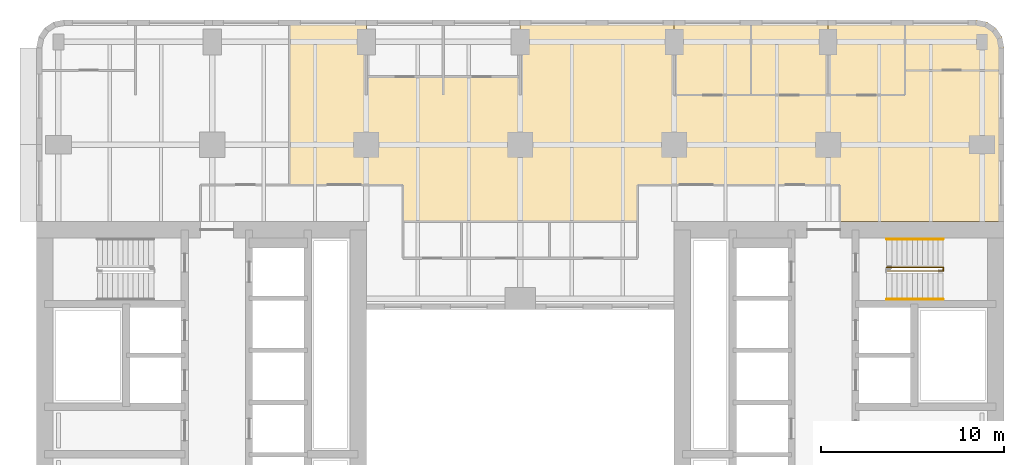
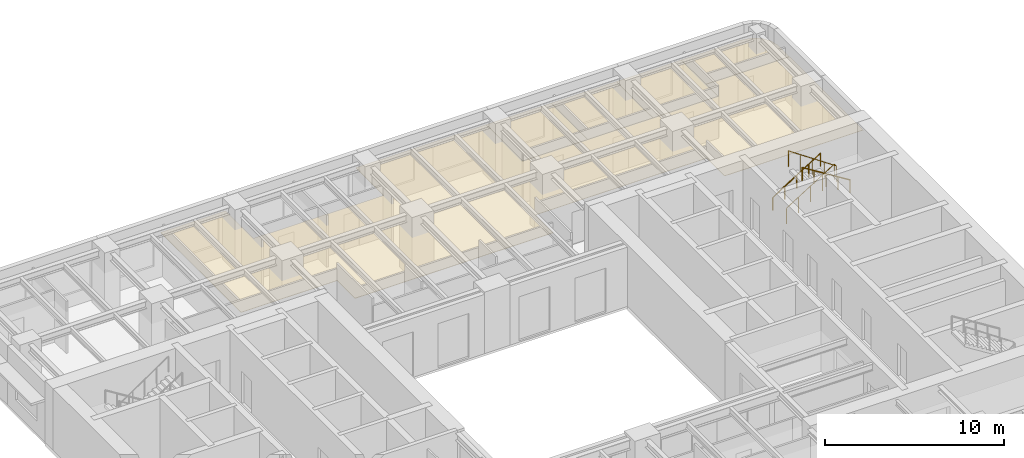
# One storey, part 11 of 11: 5 coverings, 3 railings.
"""IFC4 building model written with IfcOpenShell, lengths in metres."""

import ifcopenshell
import ifcopenshell.guid

model = None  # the IFC model being written
_history = None  # IfcOwnerHistory: only IFC2X3 demands one
_inside = {}  # id of a spatial element -> (the spatial element, [elements in it])
_under = {}  # id of a project, library or spatial element -> (it, [spatial elements below it])
_declared = {}  # id of a project -> (the project, [libraries it declares])
_typed = {}  # id of a type object -> (the type object, [elements of that type])
_made_of = {}  # id of a material, layer set ... -> (it, [elements and type objects made of it])


def new_model(schema):
    """Start an empty IFC model of exactly this schema.

    Asked for "IFC4X3", IfcOpenShell would pick the latest addendum, in which some entities
    have other attributes; the version numbers below select the first issue.
    IFC2X3 requires an IfcOwnerHistory on every rooted entity: one is made here for all.
    """
    global model, _history
    if schema == "IFC4X3":
        model = ifcopenshell.file(schema_version=(4, 3, 0, 0))
    else:
        model = ifcopenshell.file(schema=schema)
    _inside.clear()
    _under.clear()
    _declared.clear()
    _typed.clear()
    _made_of.clear()
    _history = None
    if model.schema == "IFC2X3":
        org = make("IfcOrganization", Name="unknown")
        user = make(
            "IfcPersonAndOrganization",
            ThePerson=make("IfcPerson", FamilyName="unknown"),
            TheOrganization=org,
        )
        app = make(
            "IfcApplication",
            ApplicationDeveloper=org,
            Version="unknown",
            ApplicationFullName="unknown",
            ApplicationIdentifier="unknown",
        )
        _history = make(
            "IfcOwnerHistory",
            OwningUser=user,
            OwningApplication=app,
            ChangeAction="ADDED",
            CreationDate=0,
        )
    return model


def make(cls, **values):
    """One entity of the class cls with the attributes given. An attribute that is None is left unset."""
    return model.create_entity(
        cls, **{name: value for name, value in values.items() if value is not None}
    )


def rooted(cls, **values):
    """An entity with a GlobalId (a new one), such as an element, a storey or a relation."""
    return make(cls, GlobalId=ifcopenshell.guid.new(), OwnerHistory=_history, **values)


def si_unit(unit_type, name, prefix=None):
    """IfcSIUnit, for example si_unit("LENGTHUNIT", "METRE", prefix="MILLI")."""
    return make("IfcSIUnit", UnitType=unit_type, Prefix=prefix, Name=name)


def assignment(units):
    """IfcUnitAssignment: the units of a project."""
    return None if units is None else make("IfcUnitAssignment", Units=units)


def point(xyz):
    """IfcCartesianPoint."""
    return None if xyz is None else make("IfcCartesianPoint", Coordinates=xyz)


def direction(xyz):
    """IfcDirection."""
    return None if xyz is None else make("IfcDirection", DirectionRatios=xyz)


def frame(location, z_axis=None, x_axis=None):
    """IfcAxis2Placement3D, a coordinate frame: its origin and axes. An axis left out is left unset."""
    return make(
        "IfcAxis2Placement3D",
        Location=point(location),
        Axis=direction(z_axis),
        RefDirection=direction(x_axis),
    )


def frame_2d(location, x_axis=None):
    """IfcAxis2Placement2D, a coordinate frame in the plane: its origin and x axis."""
    return make(
        "IfcAxis2Placement2D", Location=point(location), RefDirection=direction(x_axis)
    )


def origin():
    """The frame at (0, 0, 0) with its axes left unset."""
    return frame((0.0, 0.0, 0.0))


def origin_2d():
    """The frame at (0, 0) in the plane with its x axis left unset."""
    return frame_2d((0.0, 0.0))


def place(relative_to, where):
    """IfcLocalPlacement: puts the frame where relative to a parent placement (None: the world)."""
    return make(
        "IfcLocalPlacement", PlacementRelTo=relative_to, RelativePlacement=where
    )


def context(
    kind, dimensions, precision=None, world=None, true_north=None, identifier=None
):
    """IfcGeometricRepresentationContext, for example the 3D "Model" context."""
    return make(
        "IfcGeometricRepresentationContext",
        ContextIdentifier=identifier,
        ContextType=kind,
        CoordinateSpaceDimension=dimensions,
        Precision=precision,
        WorldCoordinateSystem=world,
        TrueNorth=true_north,
    )


def subcontext(parent, identifier, kind, view, scale=None):
    """IfcGeometricRepresentationSubContext, for example "Body" below "Model"."""
    return make(
        "IfcGeometricRepresentationSubContext",
        ContextIdentifier=identifier,
        ContextType=kind,
        ParentContext=parent,
        TargetScale=scale,
        TargetView=view,
    )


def project(units=None, contexts=None):
    """IfcProject with its units and contexts."""
    return rooted(
        "IfcProject",
        Name="project",
        RepresentationContexts=contexts,
        UnitsInContext=assignment(units),
    )


def spatial(cls, under=None, at=None, **own):
    """A site, building, storey or space (cls), placed at a placement, below another one or the project."""
    s = rooted(cls, ObjectPlacement=at, **own)
    if under is not None:
        _under.setdefault(under.id(), (under, []))[1].append(s)
    return s


def polyline(points):
    """IfcPolyline through the points."""
    return make("IfcPolyline", Points=[point(p) for p in points])


def profile(cls, at=None, kind="AREA", **sizes):
    """A parametric profile (cls). Its sizes go by their IFC names, for example OverallWidth=200.0."""
    return make(cls, ProfileType=kind, Position=at, **sizes)


def circle(**sizes):
    """IfcCircleProfileDef."""
    return profile("IfcCircleProfileDef", **sizes)


def outline(outer, holes=None, kind="AREA"):
    """IfcArbitraryClosedProfileDef: a profile drawn as a closed curve; with holes, ...WithVoids."""
    if holes is None:
        return make("IfcArbitraryClosedProfileDef", ProfileType=kind, OuterCurve=outer)
    return make(
        "IfcArbitraryProfileDefWithVoids",
        ProfileType=kind,
        OuterCurve=outer,
        InnerCurves=holes,
    )


def extrude(swept, where, along, depth):
    """IfcExtrudedAreaSolid: the profile swept, set in the frame where, extruded along a direction by depth."""
    return make(
        "IfcExtrudedAreaSolid",
        SweptArea=swept,
        Position=where,
        ExtrudedDirection=direction(along),
        Depth=depth,
    )


def shape(context_of_items, identifier, shape_type, items):
    """IfcShapeRepresentation: the items that make up one representation, for example the "Body"."""
    return make(
        "IfcShapeRepresentation",
        ContextOfItems=context_of_items,
        RepresentationIdentifier=identifier,
        RepresentationType=shape_type,
        Items=items,
    )


def material(Name=None, Category=None):
    """IfcMaterial."""
    return make("IfcMaterial", Name=Name, Category=Category)


def layer(
    of_material, thickness, ventilated=None, Name=None, Category=None, Priority=None
):
    """IfcMaterialLayer: one layer of a wall or slab, of a material (None: an air gap)."""
    return make(
        "IfcMaterialLayer",
        Material=of_material,
        LayerThickness=thickness,
        IsVentilated=ventilated,
        Name=Name,
        Category=Category,
        Priority=Priority,
    )


def layer_set(layers, Name=None):
    """IfcMaterialLayerSet."""
    return make("IfcMaterialLayerSet", MaterialLayers=layers, LayerSetName=Name)


def made_of(thing, what):
    """Note that an element or type object is made of a material, layer set ...; save() writes the relation."""
    if what is not None:
        _made_of.setdefault(what.id(), (what, []))[1].append(thing)
    return thing


def type_object(cls, material=None, **own):
    """A type object (cls), such as IfcWallType, which elements share."""
    return made_of(rooted(cls, **own), material)


def element(
    cls,
    number,
    at=None,
    inside=None,
    cuts=None,
    type_object=None,
    material=None,
    context=None,
    identifier="Body",
    shape_type=None,
    held_by="IfcProductDefinitionShape",
    body=None,
    shapes=None,
    **own,
):
    """One element of the class cls, such as IfcWall. Its Tag is "e" and its number.

    at: its placement. inside: the storey or other place that contains it. cuts: it is an
    opening in that element (IfcRelVoidsElement). A single representation is given by context,
    identifier, shape_type and body (its items); several are given by shapes. held_by: the class
    of the entity that holds the representations. save() writes the other relations.
    """
    e = rooted(cls, Tag="e%d" % number, ObjectPlacement=at, **own)
    if body is not None:
        shapes = [shape(context, identifier, shape_type, body)]
    if shapes is not None:
        e.Representation = make(held_by, Representations=shapes)
    if inside is not None:
        _inside.setdefault(inside.id(), (inside, []))[1].append(e)
    if cuts is not None:
        rooted(
            "IfcRelVoidsElement", RelatingBuildingElement=cuts, RelatedOpeningElement=e
        )
    if type_object is not None:
        _typed.setdefault(type_object.id(), (type_object, []))[1].append(e)
    return made_of(e, material)


def aggregate(whole, parts):
    """IfcRelAggregates: a whole, such as a stair, and the parts it consists of."""
    return rooted("IfcRelAggregates", RelatingObject=whole, RelatedObjects=parts)


def save(model, path):
    """Write the relations noted so far, then the file.

    IfcRelAggregates (storeys below a building ...), IfcRelContainedInSpatialStructure (elements
    in a storey), IfcRelDefinesByType, IfcRelAssociatesMaterial and IfcRelDeclares: one each for
    every whole, place, type object, material and project.
    """
    for whole, parts in _under.values():
        aggregate(whole, parts)
    for where, things in _inside.values():
        rooted(
            "IfcRelContainedInSpatialStructure",
            RelatedElements=things,
            RelatingStructure=where,
        )
    for kind, things in _typed.values():
        rooted("IfcRelDefinesByType", RelatedObjects=things, RelatingType=kind)
    for what, things in _made_of.values():
        rooted("IfcRelAssociatesMaterial", RelatedObjects=things, RelatingMaterial=what)
    for by, libraries in _declared.values():
        rooted("IfcRelDeclares", RelatingContext=by, RelatedDefinitions=libraries)
    model.write(path)


model = new_model("IFC4")

# Units and contexts
model_context = context("Model", 3, precision=1e-05, world=origin(), true_north=direction((0.0, 1.0)))
body_context = subcontext(model_context, "Body", "Model", "MODEL_VIEW")
ifc_project = project(units=[si_unit("LENGTHUNIT", "METRE"), si_unit("AREAUNIT", "SQUARE_METRE"), si_unit("VOLUMEUNIT", "CUBIC_METRE"), si_unit("PLANEANGLEUNIT", "RADIAN"), si_unit("MASSUNIT", "GRAM", prefix="KILO")], contexts=[model_context])

# Site, building, storey
site_placement = place(None, origin())
site = spatial("IfcSite", under=ifc_project, at=site_placement, CompositionType="ELEMENT")
building_placement = place(site_placement, origin())
building = spatial("IfcBuilding", under=site, at=building_placement, Name="Claustro Exchange Tower", CompositionType="ELEMENT")
storey_placement = place(building_placement, frame((0.0, 0.0, 159.60009765625)))
storey = spatial("IfcBuildingStorey", under=building, at=storey_placement, Name="L36", CompositionType="ELEMENT", Elevation=159.60009765625)

# Coverings
ifc_material_1 = material(Name="Gypsum board ceiling", Category="gypsum board")
ifc_layer = layer(ifc_material_1, 0.02490234375)
ifc_layer_set = layer_set([ifc_layer], Name="Gypsum board ceiling")
covering_type = type_object("IfcCoveringType", Name="CL2 plasterboard ceiling", PredefinedType="CEILING", material=ifc_layer_set)
covering_1_placement = place(storey_placement, frame((0.0, 0.0, 2.7998046875)))
element("IfcCovering", 1, at=covering_1_placement, inside=storey, type_object=covering_type, Name="Ceiling CL2 L36-20", PredefinedType="CEILING", context=body_context, shape_type="SweptSolid", body=[
    extrude(outline(polyline([(16.800048828125, 48.800048828125), (12.60009765625, 48.800048828125), (12.60009765625, 39.800048828125), (18.800048828125, 39.800048828125), (18.800048828125, 37.800048828125), (31.60009765625, 37.800048828125), (31.60009765625, 39.800048828125), (42.64990234375, 39.800048828125), (42.64990234375, 37.800048828125), (51.60009765625, 37.800048828125), (51.60009765625, 46.050048828125), (46.199951171875, 46.050048828125), (46.199951171875, 44.699951171875), (42.0, 44.699951171875), (37.800048828125, 44.699951171875), (33.60009765625, 44.699951171875), (33.60009765625, 48.800048828125), (25.199951171875, 48.800048828125), (25.199951171875, 45.699951171875), (21.0, 45.699951171875), (16.800048828125, 45.699951171875), (16.800048828125, 48.800048828125)])), origin(), (0.0, 0.0, 1.0), 0.025146484375),
])
covering_2_placement = place(storey_placement, frame((0.0, 0.0, 2.7998046875)))
element("IfcCovering", 2, at=covering_2_placement, inside=storey, type_object=covering_type, Name="Ceiling CL2 L36-22", PredefinedType="CEILING", context=body_context, shape_type="SweptSolid", body=[
    extrude(outline(polyline([(37.800048828125, 48.800048828125), (33.60009765625, 48.800048828125), (33.60009765625, 44.699951171875), (37.800048828125, 44.699951171875), (37.800048828125, 48.800048828125)])), origin(), (0.0, 0.0, 1.0), 0.025146484375),
])
covering_3_placement = place(storey_placement, frame((0.0, 0.0, 2.7998046875)))
element("IfcCovering", 3, at=covering_3_placement, inside=storey, type_object=covering_type, Name="Ceiling CL2 L36-23", PredefinedType="CEILING", context=body_context, shape_type="SweptSolid", body=[
    extrude(outline(polyline([(42.0, 48.800048828125), (37.800048828125, 48.800048828125), (37.800048828125, 44.699951171875), (42.0, 44.699951171875), (42.0, 48.800048828125)])), origin(), (0.0, 0.0, 1.0), 0.025146484375),
])
covering_4_placement = place(storey_placement, frame((0.0, 0.0, 2.7998046875)))
element("IfcCovering", 4, at=covering_4_placement, inside=storey, type_object=covering_type, Name="Ceiling CL2 L36-24", PredefinedType="CEILING", context=body_context, shape_type="SweptSolid", body=[
    extrude(outline(polyline([(46.199951171875, 48.800048828125), (42.0, 48.800048828125), (42.0, 44.699951171875), (46.199951171875, 44.699951171875), (46.199951171875, 48.800048828125)])), origin(), (0.0, 0.0, 1.0), 0.025146484375),
])
covering_5_placement = place(storey_placement, frame((0.0, 0.0, 2.7998046875)))
element("IfcCovering", 5, at=covering_5_placement, inside=storey, type_object=covering_type, Name="Ceiling CL2 L36-28", PredefinedType="CEILING", context=body_context, shape_type="SweptSolid", body=[
    extrude(outline(polyline([(50.10009765625, 48.800048828125), (46.199951171875, 48.800048828125), (46.199951171875, 46.050048828125), (51.60009765625, 46.050048828125), (51.60009765625, 47.300048828125), (51.48583984375, 47.8740234375), (51.16064453125, 48.360595703125), (50.674072265625, 48.685791015625), (50.10009765625, 48.800048828125)])), origin(), (0.0, 0.0, 1.0), 0.025146484375),
])

# Railings
ifc_material_2 = material(Name="Steel balustrade, painted", Category="steel")
railing_type_1 = type_object("IfcRailingType", Name="GR2 1100 steel stair guard", PredefinedType="GUARDRAIL", material=ifc_material_2)
railing_1_placement = place(storey_placement, frame((45.199951171875, 35.300048828125, 0.1748046875)))
element("IfcRailing", 6, at=railing_1_placement, inside=storey, type_object=railing_type_1, Name="Stair well guard GR2 stair STEB L36", PredefinedType="GUARDRAIL", context=body_context, shape_type="SweptSolid", body=[
    extrude(circle(Radius=0.02392578125, at=origin_2d()), frame((0.0, 0.0, 1.076171875), z_axis=(0.847998304005, 0.0, 0.529998940003), x_axis=(0.0, 1.0, 0.0)), (0.0, 0.0, 1.0), 3.632080078125),
    extrude(circle(Radius=0.02392578125, at=origin_2d()), frame((3.080078125, 0.0, 3.0009765625), z_axis=(0.0, -1.0, 0.0), x_axis=(1.0, 0.0, 0.0)), (0.0, 0.0, 1.0), 0.199951171875),
    extrude(circle(Radius=0.02392578125, at=origin_2d()), frame((3.080078125, -0.199951171875, 3.0009765625), z_axis=(-0.826221800596, 0.0, 0.563344953133), x_axis=(0.0, -1.0, 0.0)), (0.0, 0.0, 1.0), 3.72802734375),
    extrude(circle(Radius=0.02099609375, at=origin_2d()), origin(), (0.0, 0.0, 1.0), 1.052001953125),
    extrude(circle(Radius=0.02099609375, at=origin_2d()), frame((0.77001953125, 0.0, 0.481201171875)), (0.0, 0.0, 1.0), 1.052001953125),
    extrude(circle(Radius=0.02099609375, at=origin_2d()), frame((1.5400390625, 0.0, 0.96240234375)), (0.0, 0.0, 1.0), 1.052001953125),
    extrude(circle(Radius=0.02099609375, at=origin_2d()), frame((2.31005859375, 0.0, 1.44384765625)), (0.0, 0.0, 1.0), 1.052001953125),
    extrude(circle(Radius=0.02099609375, at=origin_2d()), frame((3.080078125, 0.0, 1.925048828125)), (0.0, 0.0, 1.0), 1.052001953125),
    extrude(circle(Radius=0.02099609375, at=origin_2d()), frame((3.080078125, -0.199951171875, 1.925048828125)), (0.0, 0.0, 1.0), 1.052001953125),
    extrude(circle(Radius=0.02099609375, at=origin_2d()), frame((2.31005859375, -0.199951171875, 2.4501953125)), (0.0, 0.0, 1.0), 1.052001953125),
    extrude(circle(Radius=0.02099609375, at=origin_2d()), frame((1.5400390625, -0.199951171875, 2.97509765625)), (0.0, 0.0, 1.0), 1.052001953125),
    extrude(circle(Radius=0.02099609375, at=origin_2d()), frame((0.77001953125, -0.199951171875, 3.5)), (0.0, 0.0, 1.0), 1.052001953125),
    extrude(circle(Radius=0.02099609375, at=origin_2d()), frame((0.0, -0.199951171875, 4.025146484375)), (0.0, 0.0, 1.0), 1.052001953125),
])
ifc_material_3 = material(Name="Stainless steel tube", Category="steel")
railing_type_2 = type_object("IfcRailingType", Name="HR1 900 stair handrail", PredefinedType="HANDRAIL", material=ifc_material_3)
railing_2_placement = place(storey_placement, frame((45.199951171875, 36.840087890625, 0.1748046875)))
element("IfcRailing", 7, at=railing_2_placement, inside=storey, type_object=railing_type_2, Name="Handrail HR1 stair STEB L36", PredefinedType="HANDRAIL", context=body_context, shape_type="SweptSolid", body=[
    extrude(circle(Radius=0.02392578125, at=origin_2d()), frame((0.0, 0.0, 0.8759765625), z_axis=(0.847998304005, 0.0, 0.529998940003), x_axis=(0.0, 1.0, 0.0)), (0.0, 0.0, 1.0), 3.632080078125),
    extrude(circle(Radius=0.02099609375, at=origin_2d()), origin(), (0.0, 0.0, 1.0), 0.851806640625),
    extrude(circle(Radius=0.02099609375, at=origin_2d()), frame((0.77001953125, 0.0, 0.481201171875)), (0.0, 0.0, 1.0), 0.851806640625),
    extrude(circle(Radius=0.02099609375, at=origin_2d()), frame((1.5400390625, 0.0, 0.96240234375)), (0.0, 0.0, 1.0), 0.851806640625),
    extrude(circle(Radius=0.02099609375, at=origin_2d()), frame((2.31005859375, 0.0, 1.44384765625)), (0.0, 0.0, 1.0), 0.851806640625),
    extrude(circle(Radius=0.02099609375, at=origin_2d()), frame((3.080078125, 0.0, 1.925048828125)), (0.0, 0.0, 1.0), 0.851806640625),
])
railing_3_placement = place(storey_placement, frame((48.280029296875, 33.56005859375, 2.27490234375)))
element("IfcRailing", 8, at=railing_3_placement, inside=storey, type_object=railing_type_2, Name="Handrail HR1 stair STEB L36", PredefinedType="HANDRAIL", context=body_context, shape_type="SweptSolid", body=[
    extrude(circle(Radius=0.02392578125, at=origin_2d()), frame((0.0, 0.0, 0.8759765625), z_axis=(-0.847998304005, 0.0, 0.529998940003), x_axis=(0.0, -1.0, 0.0)), (0.0, 0.0, 1.0), 3.632080078125),
    extrude(circle(Radius=0.02099609375, at=origin_2d()), origin(), (0.0, 0.0, 1.0), 0.851806640625),
    extrude(circle(Radius=0.02099609375, at=origin_2d()), frame((-0.77001953125, 0.0, 0.481201171875)), (0.0, 0.0, 1.0), 0.851806640625),
    extrude(circle(Radius=0.02099609375, at=origin_2d()), frame((-1.5400390625, 0.0, 0.96240234375)), (0.0, 0.0, 1.0), 0.851806640625),
    extrude(circle(Radius=0.02099609375, at=origin_2d()), frame((-2.31005859375, 0.0, 1.44384765625)), (0.0, 0.0, 1.0), 0.851806640625),
    extrude(circle(Radius=0.02099609375, at=origin_2d()), frame((-3.080078125, 0.0, 1.925048828125)), (0.0, 0.0, 1.0), 0.851806640625),
])

save(model, "model.ifc")
